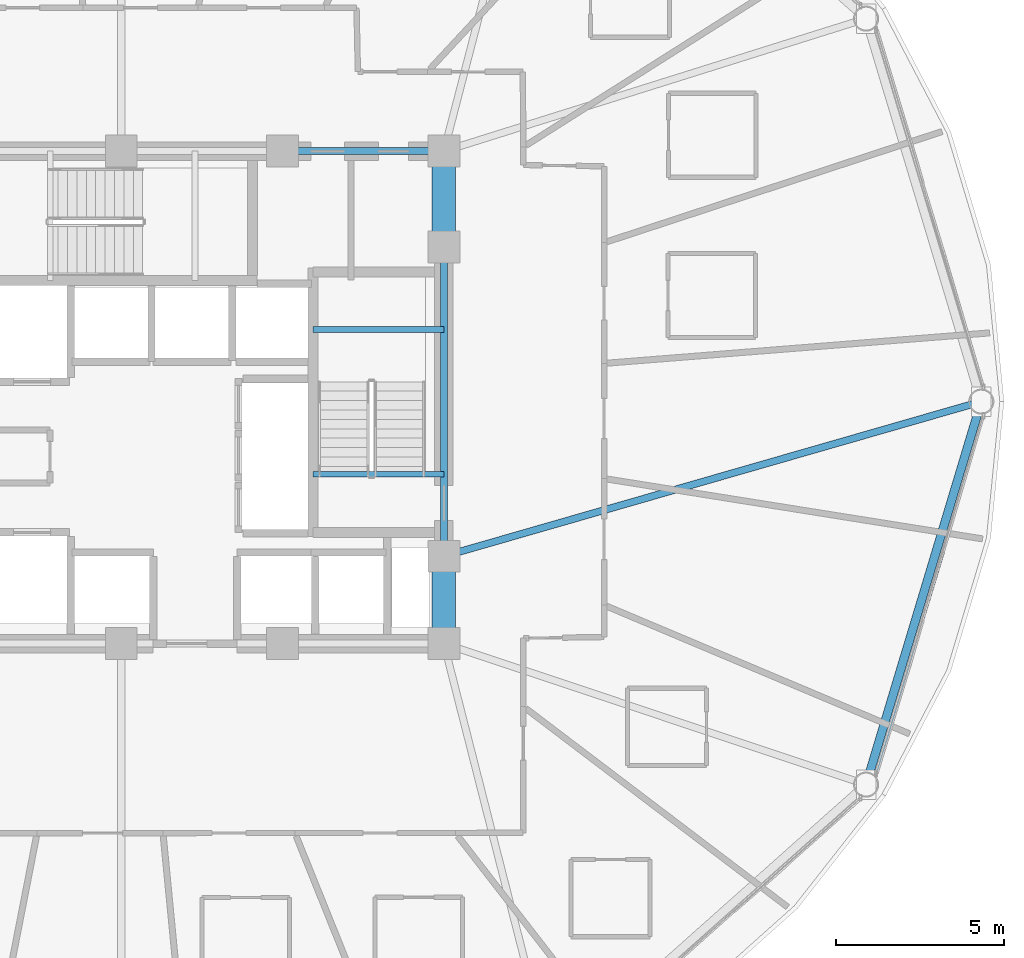
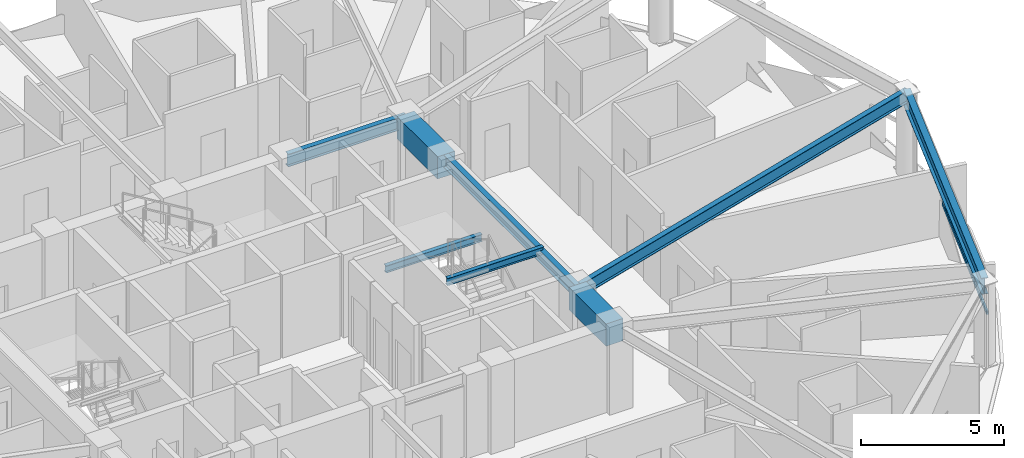
# One storey, part 12 of 32: 8 beams, 1 member, 1 element without a shape of its own.
"""IFC4 building model written with IfcOpenShell, lengths in metres."""

from ifc_helpers import new_model, si_unit, direction, frame, origin, origin_2d, place, context, subcontext, project, spatial, rectangle, hollow_rectangle, i_section, extrude, material, layer, layer_set, material_profile, profile_set, type_object, element, aggregate, save


model = new_model("IFC4")

# Units and contexts
model_context = context("Model", 3, precision=1e-05, world=origin(), true_north=direction((0.0, 1.0)))
body_context = subcontext(model_context, "Body", "Model", "MODEL_VIEW")
ifc_project = project(units=[si_unit("LENGTHUNIT", "METRE"), si_unit("AREAUNIT", "SQUARE_METRE"), si_unit("VOLUMEUNIT", "CUBIC_METRE"), si_unit("PLANEANGLEUNIT", "RADIAN"), si_unit("MASSUNIT", "GRAM", prefix="KILO")], contexts=[model_context])

# Site, building, storey
site_placement = place(None, origin())
site = spatial("IfcSite", under=ifc_project, at=site_placement, CompositionType="ELEMENT")
building_placement = place(site_placement, origin())
building = spatial("IfcBuilding", under=site, at=building_placement, Name="Vantalir Tower", CompositionType="ELEMENT")
storey_placement = place(building_placement, frame((0.0, 0.0, 108.449951171875)))
storey = spatial("IfcBuildingStorey", under=building, at=storey_placement, Name="L26", CompositionType="ELEMENT", Elevation=108.449951171875)

# Beams
ifc_material_1 = material(Name="Concrete C60/75", Category="concrete")
ifc_material_profile_1 = material_profile(ifc_material_1, rectangle(XDim=0.699951171875, YDim=0.949951171875, at=origin_2d()), Name="Concrete C60/75")
ifc_profile_set_1 = profile_set([ifc_material_profile_1], Name="Concrete C60/75")
beam_type_1 = type_object("IfcBeamType", Name="BM-CB-700x950", PredefinedType="USERDEFINED", material=ifc_profile_set_1)
beam_1_placement = place(storey_placement, frame((41.10009765625, 17.800048828125, 3.094970703125), z_axis=(0.0, 1.0, 0.0), x_axis=(-1.0, 0.0, 0.0)))
element("IfcBeam", 1, at=beam_1_placement, inside=storey, type_object=beam_type_1, Name="L26 Core Coupling Girder 05", ObjectType="GIRDER", PredefinedType="USERDEFINED", context=body_context, shape_type="SweptSolid", body=[
    extrude(rectangle(XDim=0.699951171875, YDim=0.949951171875, at=origin_2d()), origin(), (0.0, 0.0, 1.0), 2.599853515625),
])
beam_2_placement = place(storey_placement, frame((41.10009765625, 29.60009765625, 3.094970703125), z_axis=(0.0, 1.0, 0.0), x_axis=(-1.0, 0.0, 0.0)))
element("IfcBeam", 2, at=beam_2_placement, inside=storey, type_object=beam_type_1, Name="L26 Core Coupling Girder 07", ObjectType="GIRDER", PredefinedType="USERDEFINED", context=body_context, shape_type="SweptSolid", body=[
    extrude(rectangle(XDim=0.699951171875, YDim=0.949951171875, at=origin_2d()), origin(), (0.0, 0.0, 1.0), 2.849853515625),
])
ifc_material_2 = material(Name="Steel S355", Category="steel")
ifc_material_profile_2 = material_profile(ifc_material_2, i_section(OverallWidth=0.166015625, OverallDepth=0.306884765625, WebThickness=0.006591796875, FlangeThickness=0.01171875, at=origin_2d()), Name="Steel S355")
ifc_profile_set_2 = profile_set([ifc_material_profile_2], Name="Steel S355")
beam_type_2 = type_object("IfcBeamType", Name="BM-JS-305x165", PredefinedType="JOIST", material=ifc_profile_set_2)
for number, where, z_axis, x_axis, name in (
    (3, (37.2099609375, 22.8349609375, 3.59716796875), (1.0, 0.0, 0.0), (0.0, 1.0, 0.0), "L27 Stair ST2 Well Nosing Trimmer Beam"),
    (4, (37.2099609375, 27.14501953125, 1.52197265625), (1.0, 0.0, 0.0), (0.0, 1.0, 0.0), "L26 Stair ST2 Half-Landing Support Beam"),
):
    element("IfcBeam", number, at=place(storey_placement, frame(where, z_axis=z_axis, x_axis=x_axis)), inside=storey, type_object=beam_type_2, Name=name, PredefinedType="JOIST", context=body_context, shape_type="SweptSolid", body=[
        extrude(i_section(OverallWidth=0.166015625, OverallDepth=0.306884765625, WebThickness=0.006591796875, FlangeThickness=0.01171875, at=origin_2d()), origin(), (0.0, 0.0, 1.0), 3.89013671875),
    ])
ifc_material_profile_3 = material_profile(ifc_material_2, i_section(OverallWidth=0.2109375, OverallDepth=0.5390625, WebThickness=0.01171875, FlangeThickness=0.018798828125, at=origin_2d()), Name="Steel S355")
ifc_profile_set_3 = profile_set([ifc_material_profile_3], Name="Steel S355")
beam_type_3 = type_object("IfcBeamType", Name="BM-RB-533x210", PredefinedType="BEAM", material=ifc_profile_set_3)
beam_3_placement = place(storey_placement, frame((41.10009765625, 20.39990234375, 3.300048828125), z_axis=(0.0, 1.0, 0.0), x_axis=(-1.0, 0.0, 0.0)))
element("IfcBeam", 5, at=beam_3_placement, inside=storey, type_object=beam_type_3, Name="L26 Core Coupling Girder 06", PredefinedType="BEAM", context=body_context, shape_type="SweptSolid", body=[
    extrude(i_section(OverallWidth=0.2109375, OverallDepth=0.5390625, WebThickness=0.01171875, FlangeThickness=0.018798828125, at=origin_2d()), origin(), (0.0, 0.0, 1.0), 9.2001953125),
])
beam_4_placement = place(storey_placement, frame((41.10009765625, 32.449951171875, 3.300048828125), z_axis=(-1.0, 0.0, 0.0), x_axis=(0.0, -1.0, 0.0)))
element("IfcBeam", 6, at=beam_4_placement, inside=storey, type_object=beam_type_3, Name="L26 Core Coupling Girder 08", PredefinedType="BEAM", context=body_context, shape_type="SweptSolid", body=[
    extrude(i_section(OverallWidth=0.2109375, OverallDepth=0.5390625, WebThickness=0.01171875, FlangeThickness=0.018798828125, at=origin_2d()), origin(), (0.0, 0.0, 1.0), 4.800048828125),
])
beam_5_placement = place(storey_placement, frame((57.087890625, 25.0, 3.300048828125), z_axis=(-0.961011705277, -0.276507689442, 0.0), x_axis=(0.276507689442, -0.961011705277, 0.0)))
element("IfcBeam", 7, at=beam_5_placement, inside=storey, type_object=beam_type_3, Name="L26 Radial Floor Beam 01", PredefinedType="BEAM", context=body_context, shape_type="SweptSolid", body=[
    extrude(i_section(OverallWidth=0.2109375, OverallDepth=0.5390625, WebThickness=0.01171875, FlangeThickness=0.018798828125, at=origin_2d()), origin(), (0.0, 0.0, 1.0), 16.636474609375),
])
ifc_material_3 = material(Name="Steel S460", Category="steel")
ifc_material_profile_4 = material_profile(ifc_material_3, i_section(OverallWidth=0.256103515625, OverallDepth=0.693115234375, WebThickness=0.014404296875, FlangeThickness=0.023681640625, at=origin_2d()), Name="Steel S460")
ifc_profile_set_4 = profile_set([ifc_material_profile_4], Name="Steel S460")
beam_type_4 = type_object("IfcBeamType", Name="BM-RG-686x254", PredefinedType="USERDEFINED", material=ifc_profile_set_4)
beam_6_placement = place(storey_placement, frame((53.659912109375, 13.60595703125, 3.22314453125), z_axis=(0.288100770592, 0.95760009711, 0.0), x_axis=(-0.95760009711, 0.288100770592, 0.0)))
element("IfcBeam", 8, at=beam_6_placement, inside=storey, type_object=beam_type_4, Name="L26 Circumferential Ring Girder 12", ObjectType="GIRDER", PredefinedType="USERDEFINED", context=body_context, shape_type="SweptSolid", body=[
    extrude(i_section(OverallWidth=0.256103515625, OverallDepth=0.693115234375, WebThickness=0.014404296875, FlangeThickness=0.023681640625, at=origin_2d()), origin(), (0.0, 0.0, 1.0), 11.8984375),
])

# Curtain wall, member
ifc_material_4 = material(Name="Champagne-silver PVDF aluminium and double-silver Low-E glass", Category="aluminium")
ifc_layer = layer(ifc_material_4, 0.199951171875)
ifc_layer_set = layer_set([ifc_layer], Name="Champagne-silver PVDF aluminium and double-silver Low-E glass")
curtain_wall_type = type_object("IfcCurtainWallType", Name="CW-DIAMOND-Z2", PredefinedType="USERDEFINED", material=ifc_layer_set)
curtain_wall_placement = place(storey_placement, origin())
curtain_wall = element("IfcCurtainWall", 9, at=curtain_wall_placement, inside=storey, type_object=curtain_wall_type, Name="L26 Quilted Pyramid-Diamond Curtain Wall S12", ObjectType="UNITISED CURTAIN WALL", PredefinedType="USERDEFINED")
ifc_material_5 = material(Name="Champagne-silver PVDF aluminium 6063-T6", Category="aluminium")
ifc_material_profile_5 = material_profile(ifc_material_5, hollow_rectangle(XDim=0.074951171875, YDim=0.159912109375, WallThickness=0.00390625, at=origin_2d()), Name="Champagne-silver PVDF aluminium 6063-T6")
ifc_profile_set_5 = profile_set([ifc_material_profile_5], Name="Champagne-silver PVDF aluminium 6063-T6")
member_type = type_object("IfcMemberType", Name="CWT-160x75", PredefinedType="USERDEFINED", material=ifc_profile_set_5)
member_placement = place(storey_placement, frame((53.950927734375, 13.931884765625, 1.78515625), z_axis=(0.291191199966, 0.956664876047, 0.0), x_axis=(-0.956664876047, 0.291191199966, 0.0)))
member = element("IfcMember", 10, at=member_placement, type_object=member_type, Name="CW-L26-S12 Pyramid Fold Ridge Transom", ObjectType="TRANSOM", PredefinedType="USERDEFINED", context=body_context, shape_type="SweptSolid", body=[
    extrude(hollow_rectangle(XDim=0.074951171875, YDim=0.159912109375, WallThickness=0.00390625, at=origin_2d()), origin(), (0.0, 0.0, 1.0), 6.89599609375),
])
aggregate(curtain_wall, [member])

save(model, "model.ifc")
